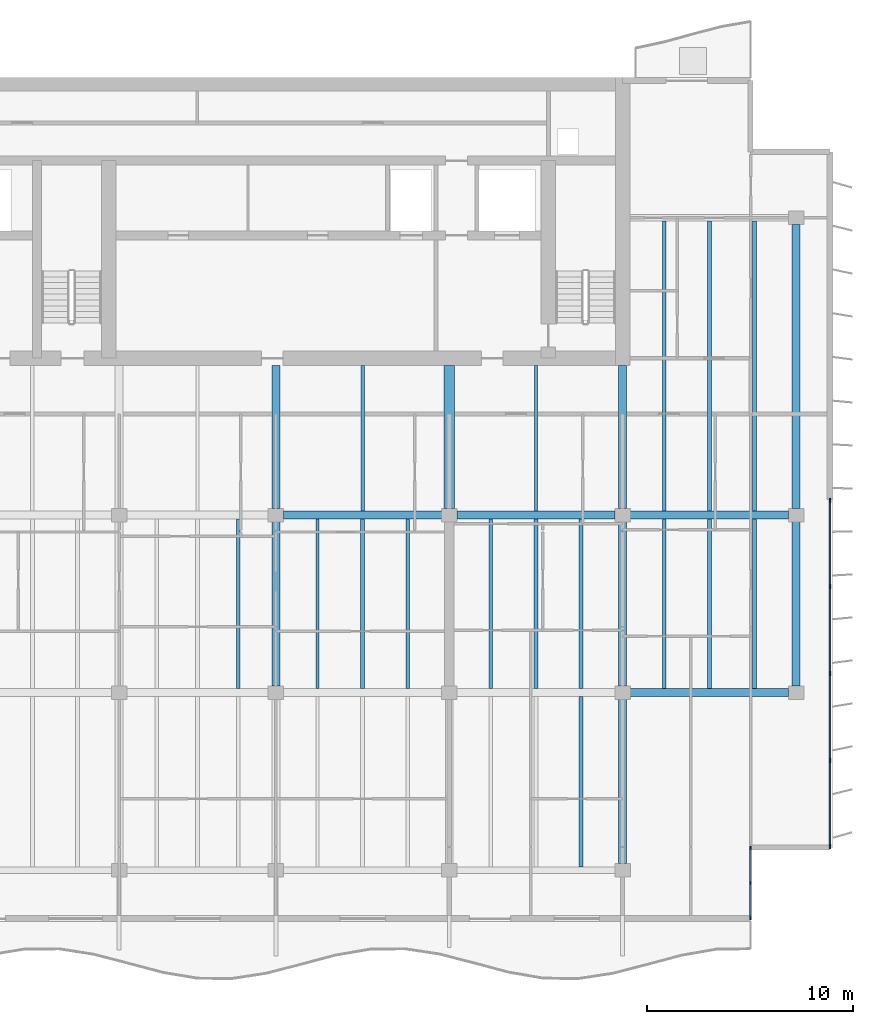
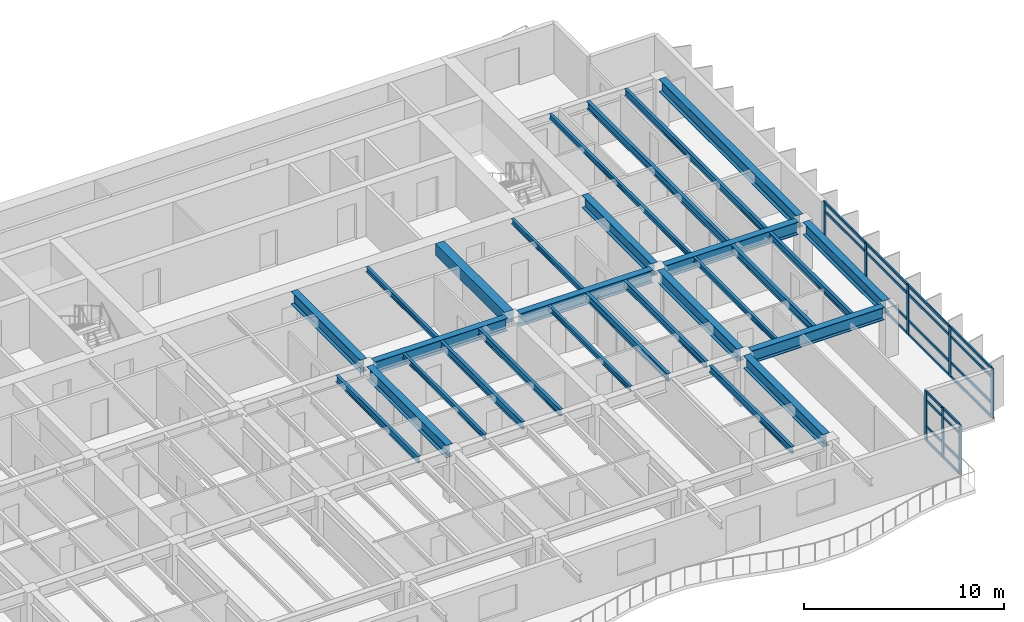
# One storey, part 4 of 17: 32 members, 28 beams, 2 elements without a shape of their own.
"""IFC4 building model written with IfcOpenShell, lengths in metres."""

from ifc_helpers import new_model, si_unit, direction, frame, origin, origin_2d, place, context, subcontext, project, spatial, rectangle, i_section, extrude, material, layer, layer_set, material_profile, profile_set, type_object, element, aggregate, save


model = new_model("IFC4")

# Units and contexts
model_context = context("Model", 3, precision=1e-05, world=origin(), true_north=direction((0.0, 1.0)))
body_context = subcontext(model_context, "Body", "Model", "MODEL_VIEW")
ifc_project = project(units=[si_unit("LENGTHUNIT", "METRE"), si_unit("AREAUNIT", "SQUARE_METRE"), si_unit("VOLUMEUNIT", "CUBIC_METRE"), si_unit("PLANEANGLEUNIT", "RADIAN"), si_unit("MASSUNIT", "GRAM", prefix="KILO")], contexts=[model_context])

# Site, building, storey
site_placement = place(None, origin())
site = spatial("IfcSite", under=ifc_project, at=site_placement, CompositionType="ELEMENT")
building_placement = place(site_placement, origin())
building = spatial("IfcBuilding", under=site, at=building_placement, Name="Caelmar Bay Residences", CompositionType="ELEMENT")
storey_placement = place(building_placement, frame((0.0, 0.0, 259.5)))
storey = spatial("IfcBuildingStorey", under=building, at=storey_placement, Name="L73", CompositionType="ELEMENT", Elevation=259.5)

# Beams
ifc_material_1 = material(Name="Steel ASTM A992 Grade 50", Category="steel")
ifc_material_profile_1 = material_profile(ifc_material_1, i_section(OverallWidth=0.177978515625, OverallDepth=0.406005859375, WebThickness=0.0078125, FlangeThickness=0.0126953125, FilletRadius=0.0087890625, at=origin_2d()), Name="W16X40")
ifc_profile_set_1 = profile_set([ifc_material_profile_1], Name="Steel ASTM A992 Grade 50")
beam_type_1 = type_object("IfcBeamType", Name="BM-BAL-W16X40", PredefinedType="JOIST", material=ifc_profile_set_1)
beam_1_placement = place(storey_placement, frame((57.48388671875, 12.362548828125, 2.846923828125), z_axis=(0.0, 1.0, 0.0), x_axis=(-1.0, 0.0, 0.0)))
element("IfcBeam", 1, at=beam_1_placement, inside=storey, type_object=beam_type_1, Name="L73 Composite Floor Joist 15", PredefinedType="JOIST", context=body_context, shape_type="SweptSolid", body=[
    extrude(i_section(OverallWidth=0.177978515625, OverallDepth=0.406005859375, WebThickness=0.0078125, FlangeThickness=0.0126953125, FilletRadius=0.0087890625, at=origin_2d()), origin(), (0.0, 0.0, 1.0), 8.2470703125),
])
for number, where, z_axis, x_axis, name in (
    (2, (40.8759765625, 20.990478515625, 2.846923828125), (0.0, 1.0, 0.0), (-1.0, 0.0, 0.0), "L73 Composite Floor Joist 27"),
    (3, (49.083984375, 20.990478515625, 2.846923828125), (0.0, 1.0, 0.0), (-1.0, 0.0, 0.0), "L73 Composite Floor Joist 30"),
    (4, (57.48388671875, 20.990478515625, 2.846923828125), (0.0, 1.0, 0.0), (-1.0, 0.0, 0.0), "L73 Composite Floor Joist 33"),
    (5, (65.884033203125, 20.990478515625, 2.846923828125), (0.0, 1.0, 0.0), (-1.0, 0.0, 0.0), "L73 Composite Floor Joist 36"),
):
    element("IfcBeam", number, at=place(storey_placement, frame(where, z_axis=z_axis, x_axis=x_axis)), inside=storey, type_object=beam_type_1, Name=name, PredefinedType="JOIST", context=body_context, shape_type="SweptSolid", body=[
        extrude(i_section(OverallWidth=0.177978515625, OverallDepth=0.406005859375, WebThickness=0.0078125, FlangeThickness=0.0126953125, FilletRadius=0.0087890625, at=origin_2d()), origin(), (0.0, 0.0, 1.0), 8.218994140625),
    ])
beam_2_placement = place(storey_placement, frame((65.884033203125, 29.590576171875, 2.846923828125), z_axis=(0.0, 1.0, 0.0), x_axis=(-1.0, 0.0, 0.0)))
element("IfcBeam", 6, at=beam_2_placement, inside=storey, type_object=beam_type_1, Name="L73 Composite Floor Joist 47", PredefinedType="JOIST", context=body_context, shape_type="SweptSolid", body=[
    extrude(i_section(OverallWidth=0.177978515625, OverallDepth=0.406005859375, WebThickness=0.0078125, FlangeThickness=0.0126953125, FilletRadius=0.0087890625, at=origin_2d()), origin(), (0.0, 0.0, 1.0), 14.046875),
])
ifc_material_profile_2 = material_profile(ifc_material_1, i_section(OverallWidth=0.381103515625, OverallDepth=0.77197265625, WebThickness=0.0166015625, FlangeThickness=0.027099609375, FilletRadius=0.0166015625, at=origin_2d()), Name="W30X173")
ifc_profile_set_2 = profile_set([ifc_material_profile_2], Name="Steel ASTM A992 Grade 50")
beam_type_2 = type_object("IfcBeamType", Name="BM-GRD-W30X173", PredefinedType="BEAM", material=ifc_profile_set_2)
beam_3_placement = place(storey_placement, frame((59.864990234375, 20.800048828125, 2.6640625), z_axis=(1.0, 0.0, 0.0), x_axis=(0.0, 1.0, 0.0)))
element("IfcBeam", 7, at=beam_3_placement, inside=storey, type_object=beam_type_2, Name="L73 East-West Girder Y=20.80 (59.5-67.9)", PredefinedType="BEAM", context=body_context, shape_type="SweptSolid", body=[
    extrude(i_section(OverallWidth=0.381103515625, OverallDepth=0.77197265625, WebThickness=0.0166015625, FlangeThickness=0.027099609375, FilletRadius=0.0166015625, at=origin_2d()), origin(), (0.0, 0.0, 1.0), 7.669921875),
])
beam_4_placement = place(storey_placement, frame((43.06494140625, 29.39990234375, 2.6640625), z_axis=(1.0, 0.0, 0.0), x_axis=(0.0, 1.0, 0.0)))
element("IfcBeam", 8, at=beam_4_placement, inside=storey, type_object=beam_type_2, Name="L73 East-West Girder Y=29.40 (42.7-51.1)", PredefinedType="BEAM", context=body_context, shape_type="SweptSolid", body=[
    extrude(i_section(OverallWidth=0.381103515625, OverallDepth=0.77197265625, WebThickness=0.0166015625, FlangeThickness=0.027099609375, FilletRadius=0.0166015625, at=origin_2d()), origin(), (0.0, 0.0, 1.0), 7.670166015625),
])
for number, where, z_axis, x_axis, name in (
    (9, (51.465087890625, 29.39990234375, 2.6640625), (1.0, 0.0, 0.0), (0.0, 1.0, 0.0), "L73 East-West Girder Y=29.40 (51.1-59.5)"),
    (10, (59.864990234375, 29.39990234375, 2.6640625), (1.0, 0.0, 0.0), (0.0, 1.0, 0.0), "L73 East-West Girder Y=29.40 (59.5-67.9)"),
):
    element("IfcBeam", number, at=place(storey_placement, frame(where, z_axis=z_axis, x_axis=x_axis)), inside=storey, type_object=beam_type_2, Name=name, PredefinedType="BEAM", context=body_context, shape_type="SweptSolid", body=[
        extrude(i_section(OverallWidth=0.381103515625, OverallDepth=0.77197265625, WebThickness=0.0166015625, FlangeThickness=0.027099609375, FilletRadius=0.0166015625, at=origin_2d()), origin(), (0.0, 0.0, 1.0), 7.669921875),
    ])
beam_5_placement = place(storey_placement, frame((42.699951171875, 29.715087890625, 2.6640625), z_axis=(0.0, 1.0, 0.0), x_axis=(-1.0, 0.0, 0.0)))
element("IfcBeam", 11, at=beam_5_placement, inside=storey, type_object=beam_type_2, Name="L73 Core Tie Girder X=42.70", PredefinedType="BEAM", context=body_context, shape_type="SweptSolid", body=[
    extrude(i_section(OverallWidth=0.381103515625, OverallDepth=0.77197265625, WebThickness=0.0166015625, FlangeThickness=0.027099609375, FilletRadius=0.0166015625, at=origin_2d()), origin(), (0.0, 0.0, 1.0), 6.934814453125),
])
beam_6_placement = place(storey_placement, frame((42.699951171875, 21.114990234375, 2.6640625), z_axis=(0.0, 1.0, 0.0), x_axis=(-1.0, 0.0, 0.0)))
element("IfcBeam", 12, at=beam_6_placement, inside=storey, type_object=beam_type_2, Name="L73 North-South Girder X=42.70 (20.8-29.4)", PredefinedType="BEAM", context=body_context, shape_type="SweptSolid", body=[
    extrude(i_section(OverallWidth=0.381103515625, OverallDepth=0.77197265625, WebThickness=0.0166015625, FlangeThickness=0.027099609375, FilletRadius=0.0166015625, at=origin_2d()), origin(), (0.0, 0.0, 1.0), 7.969970703125),
])
beam_7_placement = place(storey_placement, frame((59.5, 29.715087890625, 2.6640625), z_axis=(0.0, 1.0, 0.0), x_axis=(-1.0, 0.0, 0.0)))
element("IfcBeam", 13, at=beam_7_placement, inside=storey, type_object=beam_type_2, Name="L73 Core Tie Girder X=59.50", PredefinedType="BEAM", context=body_context, shape_type="SweptSolid", body=[
    extrude(i_section(OverallWidth=0.381103515625, OverallDepth=0.77197265625, WebThickness=0.0166015625, FlangeThickness=0.027099609375, FilletRadius=0.0166015625, at=origin_2d()), origin(), (0.0, 0.0, 1.0), 6.934814453125),
])
beam_8_placement = place(storey_placement, frame((59.5, 12.514892578125, 2.6640625), z_axis=(0.0, 1.0, 0.0), x_axis=(-1.0, 0.0, 0.0)))
element("IfcBeam", 14, at=beam_8_placement, inside=storey, type_object=beam_type_2, Name="L73 North-South Girder X=59.50 (12.2-20.8)", PredefinedType="BEAM", context=body_context, shape_type="SweptSolid", body=[
    extrude(i_section(OverallWidth=0.381103515625, OverallDepth=0.77197265625, WebThickness=0.0166015625, FlangeThickness=0.027099609375, FilletRadius=0.0166015625, at=origin_2d()), origin(), (0.0, 0.0, 1.0), 7.97021484375),
])
for number, where, z_axis, x_axis, name in (
    (15, (59.5, 21.114990234375, 2.6640625), (0.0, 1.0, 0.0), (-1.0, 0.0, 0.0), "L73 North-South Girder X=59.50 (20.8-29.4)"),
    (16, (67.89990234375, 21.114990234375, 2.6640625), (0.0, 1.0, 0.0), (-1.0, 0.0, 0.0), "L73 North-South Girder X=67.90 (20.8-29.4)"),
):
    element("IfcBeam", number, at=place(storey_placement, frame(where, z_axis=z_axis, x_axis=x_axis)), inside=storey, type_object=beam_type_2, Name=name, PredefinedType="BEAM", context=body_context, shape_type="SweptSolid", body=[
        extrude(i_section(OverallWidth=0.381103515625, OverallDepth=0.77197265625, WebThickness=0.0166015625, FlangeThickness=0.027099609375, FilletRadius=0.0166015625, at=origin_2d()), origin(), (0.0, 0.0, 1.0), 7.969970703125),
    ])
beam_9_placement = place(storey_placement, frame((67.89990234375, 29.715087890625, 2.6640625), z_axis=(0.0, 1.0, 0.0), x_axis=(-1.0, 0.0, 0.0)))
element("IfcBeam", 17, at=beam_9_placement, inside=storey, type_object=beam_type_2, Name="L73 North-South Girder X=67.90 (29.4-43.8)", PredefinedType="BEAM", context=body_context, shape_type="SweptSolid", body=[
    extrude(i_section(OverallWidth=0.381103515625, OverallDepth=0.77197265625, WebThickness=0.0166015625, FlangeThickness=0.027099609375, FilletRadius=0.0166015625, at=origin_2d()), origin(), (0.0, 0.0, 1.0), 13.77001953125),
])
ifc_material_profile_3 = material_profile(ifc_material_1, i_section(OverallWidth=0.1650390625, OverallDepth=0.31005859375, WebThickness=0.005859375, FlangeThickness=0.009765625, FilletRadius=0.007568359375, at=origin_2d()), Name="W12X26")
ifc_profile_set_3 = profile_set([ifc_material_profile_3], Name="Steel ASTM A992 Grade 50")
beam_type_3 = type_object("IfcBeamType", Name="BM-JST-W12X26", PredefinedType="JOIST", material=ifc_profile_set_3)
for number, where, z_axis, x_axis, name in (
    (18, (44.716064453125, 20.990478515625, 2.89501953125), (0.0, 1.0, 0.0), (-1.0, 0.0, 0.0), "L73 Composite Floor Joist 28"),
    (19, (53.115966796875, 20.990478515625, 2.89501953125), (0.0, 1.0, 0.0), (-1.0, 0.0, 0.0), "L73 Composite Floor Joist 31"),
    (20, (61.51611328125, 20.990478515625, 2.89501953125), (0.0, 1.0, 0.0), (-1.0, 0.0, 0.0), "L73 Composite Floor Joist 34"),
):
    element("IfcBeam", number, at=place(storey_placement, frame(where, z_axis=z_axis, x_axis=x_axis)), inside=storey, type_object=beam_type_3, Name=name, PredefinedType="JOIST", context=body_context, shape_type="SweptSolid", body=[
        extrude(i_section(OverallWidth=0.1650390625, OverallDepth=0.31005859375, WebThickness=0.005859375, FlangeThickness=0.009765625, FilletRadius=0.007568359375, at=origin_2d()), origin(), (0.0, 0.0, 1.0), 8.218994140625),
    ])
for number, where, z_axis, x_axis, name in (
    (21, (46.89990234375, 29.590576171875, 2.89501953125), (0.0, 1.0, 0.0), (-1.0, 0.0, 0.0), "L73 Core-Band Composite Joist 40"),
    (22, (55.300048828125, 29.590576171875, 2.89501953125), (0.0, 1.0, 0.0), (-1.0, 0.0, 0.0), "L73 Core-Band Composite Joist 41"),
):
    element("IfcBeam", number, at=place(storey_placement, frame(where, z_axis=z_axis, x_axis=x_axis)), inside=storey, type_object=beam_type_3, Name=name, PredefinedType="JOIST", context=body_context, shape_type="SweptSolid", body=[
        extrude(i_section(OverallWidth=0.1650390625, OverallDepth=0.31005859375, WebThickness=0.005859375, FlangeThickness=0.009765625, FilletRadius=0.007568359375, at=origin_2d()), origin(), (0.0, 0.0, 1.0), 7.059326171875),
    ])
beam_10_placement = place(storey_placement, frame((61.51611328125, 29.590576171875, 2.89501953125), z_axis=(0.0, 1.0, 0.0), x_axis=(-1.0, 0.0, 0.0)))
element("IfcBeam", 23, at=beam_10_placement, inside=storey, type_object=beam_type_3, Name="L73 Composite Floor Joist 45", PredefinedType="JOIST", context=body_context, shape_type="SweptSolid", body=[
    extrude(i_section(OverallWidth=0.1650390625, OverallDepth=0.31005859375, WebThickness=0.005859375, FlangeThickness=0.009765625, FilletRadius=0.007568359375, at=origin_2d()), origin(), (0.0, 0.0, 1.0), 14.046875),
])
ifc_material_profile_4 = material_profile(ifc_material_1, i_section(OverallWidth=0.19091796875, OverallDepth=0.45703125, WebThickness=0.009033203125, FlangeThickness=0.014404296875, FilletRadius=0.01025390625, at=origin_2d()), Name="W18X50")
ifc_profile_set_4 = profile_set([ifc_material_profile_4], Name="Steel ASTM A992 Grade 50")
beam_type_4 = type_object("IfcBeamType", Name="BM-JST-W18X50", PredefinedType="JOIST", material=ifc_profile_set_4)
for number, where, z_axis, x_axis, name in (
    (24, (46.89990234375, 20.990478515625, 2.821533203125), (0.0, 1.0, 0.0), (-1.0, 0.0, 0.0), "L73 Composite Floor Joist 29"),
    (25, (55.300048828125, 20.990478515625, 2.821533203125), (0.0, 1.0, 0.0), (-1.0, 0.0, 0.0), "L73 Composite Floor Joist 32"),
    (26, (63.699951171875, 20.990478515625, 2.821533203125), (0.0, 1.0, 0.0), (-1.0, 0.0, 0.0), "L73 Composite Floor Joist 35"),
):
    element("IfcBeam", number, at=place(storey_placement, frame(where, z_axis=z_axis, x_axis=x_axis)), inside=storey, type_object=beam_type_4, Name=name, PredefinedType="JOIST", context=body_context, shape_type="SweptSolid", body=[
        extrude(i_section(OverallWidth=0.19091796875, OverallDepth=0.45703125, WebThickness=0.009033203125, FlangeThickness=0.014404296875, FilletRadius=0.01025390625, at=origin_2d()), origin(), (0.0, 0.0, 1.0), 8.218994140625),
    ])
beam_11_placement = place(storey_placement, frame((63.699951171875, 29.590576171875, 2.821533203125), z_axis=(0.0, 1.0, 0.0), x_axis=(-1.0, 0.0, 0.0)))
element("IfcBeam", 27, at=beam_11_placement, inside=storey, type_object=beam_type_4, Name="L73 Composite Floor Joist 46", PredefinedType="JOIST", context=body_context, shape_type="SweptSolid", body=[
    extrude(i_section(OverallWidth=0.19091796875, OverallDepth=0.45703125, WebThickness=0.009033203125, FlangeThickness=0.014404296875, FilletRadius=0.01025390625, at=origin_2d()), origin(), (0.0, 0.0, 1.0), 14.046875),
])
ifc_material_2 = material(Name="Concrete f'c 55 MPa (8,000 psi)", Category="concrete")
ifc_material_profile_5 = material_profile(ifc_material_2, rectangle(XDim=0.5, YDim=0.699951171875, at=origin_2d()), Name="RC-BM-500X700")
ifc_profile_set_5 = profile_set([ifc_material_profile_5], Name="Concrete f'c 55 MPa (8,000 psi)")
beam_type_5 = type_object("IfcBeamType", Name="BM-RC-500X700", PredefinedType="LINTEL", material=ifc_profile_set_5)
beam_12_placement = place(storey_placement, frame((51.10009765625, 29.715087890625, 2.699951171875), z_axis=(0.0, 1.0, 0.0), x_axis=(-1.0, 0.0, 0.0)))
element("IfcBeam", 28, at=beam_12_placement, inside=storey, type_object=beam_type_5, Name="L73 Shear-Wall Corridor Coupling Lintel E8", PredefinedType="LINTEL", context=body_context, shape_type="SweptSolid", body=[
    extrude(rectangle(XDim=0.5, YDim=0.699951171875, at=origin_2d()), origin(), (0.0, 0.0, 1.0), 6.934814453125),
])

# Curtain wall, members
ifc_material_3 = material(Name="Anodised bronze aluminium 6063-T6 and laminated glass", Category="aluminium")
ifc_layer_1 = layer(ifc_material_3, 0.179931640625)
ifc_layer_set_1 = layer_set([ifc_layer_1], Name="Anodised bronze aluminium 6063-T6 and laminated glass")
curtain_wall_type_1 = type_object("IfcCurtainWallType", Name="CW6-NTC", PredefinedType="NOTDEFINED", material=ifc_layer_set_1)
curtain_wall_1_placement = place(storey_placement, origin())
curtain_wall_1 = element("IfcCurtainWall", 29, at=curtain_wall_1_placement, inside=storey, type_object=curtain_wall_type_1, Name="CW6 curtain wall L73", PredefinedType="NOTDEFINED")
ifc_material_4 = material(Name="Anodised bronze aluminium 6063-T6", Category="aluminium")
ifc_material_profile_6 = material_profile(ifc_material_4, rectangle(XDim=0.080078125, YDim=0.179931640625, at=origin_2d()), Name="CWM-80X180")
ifc_profile_set_6 = profile_set([ifc_material_profile_6], Name="Anodised bronze aluminium 6063-T6")
member_type_1 = type_object("IfcMemberType", Name="CWM-180", PredefinedType="MULLION", material=ifc_profile_set_6)
member_1_placement = place(storey_placement, frame((65.699951171875, 9.889892578125, 0.0), z_axis=(0.0, 0.0, 1.0), x_axis=(-1.0, 0.0, 0.0)))
member_1 = element("IfcMember", 30, at=member_1_placement, type_object=member_type_1, Name="CW6 mullion 1", PredefinedType="MULLION", context=body_context, shape_type="SweptSolid", body=[
    extrude(rectangle(XDim=0.080078125, YDim=0.179931640625, at=origin_2d()), origin(), (0.0, 0.0, 1.0), 3.050048828125),
])
member_2_placement = place(storey_placement, frame((65.699951171875, 11.574951171875, 0.0), z_axis=(0.0, 0.0, 1.0), x_axis=(-1.0, 0.0, 0.0)))
member_2 = element("IfcMember", 31, at=member_2_placement, type_object=member_type_1, Name="CW6 mullion 2", PredefinedType="MULLION", context=body_context, shape_type="SweptSolid", body=[
    extrude(rectangle(XDim=0.080078125, YDim=0.179931640625, at=origin_2d()), origin(), (0.0, 0.0, 1.0), 3.050048828125),
])
member_3_placement = place(storey_placement, frame((65.699951171875, 13.260009765625, 0.0), z_axis=(0.0, 0.0, 1.0), x_axis=(-1.0, 0.0, 0.0)))
member_3 = element("IfcMember", 32, at=member_3_placement, type_object=member_type_1, Name="CW6 mullion 3", PredefinedType="MULLION", context=body_context, shape_type="SweptSolid", body=[
    extrude(rectangle(XDim=0.080078125, YDim=0.179931640625, at=origin_2d()), origin(), (0.0, 0.0, 1.0), 3.050048828125),
])

ifc_layer_2 = layer(ifc_material_3, 0.179931640625)
ifc_layer_set_2 = layer_set([ifc_layer_2], Name="Anodised bronze aluminium 6063-T6 and laminated glass")
curtain_wall_type_2 = type_object("IfcCurtainWallType", Name="CW5-Z4", PredefinedType="NOTDEFINED", material=ifc_layer_set_2)
curtain_wall_2_placement = place(storey_placement, origin())
curtain_wall_2 = element("IfcCurtainWall", 33, at=curtain_wall_2_placement, inside=storey, type_object=curtain_wall_type_2, Name="CW5 curtain wall L73", PredefinedType="NOTDEFINED")
ifc_material_profile_7 = material_profile(ifc_material_4, rectangle(XDim=0.080078125, YDim=0.219970703125, at=origin_2d()), Name="CWM-80X220")
ifc_profile_set_7 = profile_set([ifc_material_profile_7], Name="Anodised bronze aluminium 6063-T6")
member_type_2 = type_object("IfcMemberType", Name="CWM-220", PredefinedType="MULLION", material=ifc_profile_set_7)
member_4_placement = place(storey_placement, frame((69.550048828125, 30.110107421875, 0.0), z_axis=(0.0, 0.0, 1.0), x_axis=(1.0, 0.0, 0.0)))
member_4 = element("IfcMember", 34, at=member_4_placement, type_object=member_type_2, Name="CW5 mullion 1", PredefinedType="MULLION", context=body_context, shape_type="SweptSolid", body=[
    extrude(rectangle(XDim=0.080078125, YDim=0.219970703125, at=origin_2d()), origin(), (0.0, 0.0, 1.0), 3.050048828125),
])
member_5_placement = place(storey_placement, frame((69.550048828125, 25.9375, 0.0), z_axis=(0.0, 0.0, 1.0), x_axis=(1.0, 0.0, 0.0)))
member_5 = element("IfcMember", 35, at=member_5_placement, type_object=member_type_2, Name="CW5 mullion 2", PredefinedType="MULLION", context=body_context, shape_type="SweptSolid", body=[
    extrude(rectangle(XDim=0.080078125, YDim=0.219970703125, at=origin_2d()), origin(), (0.0, 0.0, 1.0), 3.050048828125),
])
member_6_placement = place(storey_placement, frame((69.550048828125, 21.72509765625, 0.0), z_axis=(0.0, 0.0, 1.0), x_axis=(1.0, 0.0, 0.0)))
member_6 = element("IfcMember", 36, at=member_6_placement, type_object=member_type_2, Name="CW5 mullion 3", PredefinedType="MULLION", context=body_context, shape_type="SweptSolid", body=[
    extrude(rectangle(XDim=0.080078125, YDim=0.219970703125, at=origin_2d()), origin(), (0.0, 0.0, 1.0), 3.050048828125),
])
member_7_placement = place(storey_placement, frame((69.550048828125, 17.512451171875, 0.0), z_axis=(0.0, 0.0, 1.0), x_axis=(1.0, 0.0, 0.0)))
member_7 = element("IfcMember", 37, at=member_7_placement, type_object=member_type_2, Name="CW5 mullion 4", PredefinedType="MULLION", context=body_context, shape_type="SweptSolid", body=[
    extrude(rectangle(XDim=0.080078125, YDim=0.219970703125, at=origin_2d()), origin(), (0.0, 0.0, 1.0), 3.050048828125),
])
member_8_placement = place(storey_placement, frame((69.550048828125, 13.340087890625, 0.0), z_axis=(0.0, 0.0, 1.0), x_axis=(1.0, 0.0, 0.0)))
member_8 = element("IfcMember", 38, at=member_8_placement, type_object=member_type_2, Name="CW5 mullion 5", PredefinedType="MULLION", context=body_context, shape_type="SweptSolid", body=[
    extrude(rectangle(XDim=0.080078125, YDim=0.219970703125, at=origin_2d()), origin(), (0.0, 0.0, 1.0), 3.050048828125),
])

# Member
ifc_material_profile_8 = material_profile(ifc_material_4, rectangle(XDim=0.080078125, YDim=0.139892578125, at=origin_2d()), Name="CWT-80X140")
ifc_profile_set_8 = profile_set([ifc_material_profile_8], Name="Anodised bronze aluminium 6063-T6")
member_type_3 = type_object("IfcMemberType", Name="CWT-140", PredefinedType="NOTDEFINED", material=ifc_profile_set_8)
member_9_placement = place(storey_placement, frame((65.699951171875, 9.929931640625, 0.0400390625), z_axis=(0.0, 1.0, 0.0), x_axis=(-1.0, 0.0, 0.0)))
member_9 = element("IfcMember", 39, at=member_9_placement, type_object=member_type_3, Name="CW6 transom 1.1", ObjectType="TRANSOM", PredefinedType="USERDEFINED", context=body_context, shape_type="SweptSolid", body=[
    extrude(rectangle(XDim=0.080078125, YDim=0.139892578125, at=origin_2d()), origin(), (0.0, 0.0, 1.0), 1.60498046875),
])

member_10_placement = place(storey_placement, frame((65.699951171875, 9.929931640625, 0.89990234375), z_axis=(0.0, 1.0, 0.0), x_axis=(-1.0, 0.0, 0.0)))
member_10 = element("IfcMember", 40, at=member_10_placement, type_object=member_type_3, Name="CW6 transom 1.2", ObjectType="TRANSOM", PredefinedType="USERDEFINED", context=body_context, shape_type="SweptSolid", body=[
    extrude(rectangle(XDim=0.080078125, YDim=0.139892578125, at=origin_2d()), origin(), (0.0, 0.0, 1.0), 1.60498046875),
])

member_11_placement = place(storey_placement, frame((65.699951171875, 9.929931640625, 2.5), z_axis=(0.0, 1.0, 0.0), x_axis=(-1.0, 0.0, 0.0)))
member_11 = element("IfcMember", 41, at=member_11_placement, type_object=member_type_3, Name="CW6 transom 1.3", ObjectType="TRANSOM", PredefinedType="USERDEFINED", context=body_context, shape_type="SweptSolid", body=[
    extrude(rectangle(XDim=0.080078125, YDim=0.139892578125, at=origin_2d()), origin(), (0.0, 0.0, 1.0), 1.60498046875),
])

member_12_placement = place(storey_placement, frame((65.699951171875, 9.929931640625, 3.010009765625), z_axis=(0.0, 1.0, 0.0), x_axis=(-1.0, 0.0, 0.0)))
member_12 = element("IfcMember", 42, at=member_12_placement, type_object=member_type_3, Name="CW6 transom 1.4", ObjectType="TRANSOM", PredefinedType="USERDEFINED", context=body_context, shape_type="SweptSolid", body=[
    extrude(rectangle(XDim=0.080078125, YDim=0.139892578125, at=origin_2d()), origin(), (0.0, 0.0, 1.0), 1.60498046875),
])

member_13_placement = place(storey_placement, frame((65.699951171875, 11.614990234375, 0.0400390625), z_axis=(0.0, 1.0, 0.0), x_axis=(-1.0, 0.0, 0.0)))
member_13 = element("IfcMember", 43, at=member_13_placement, type_object=member_type_3, Name="CW6 transom 2.1", ObjectType="TRANSOM", PredefinedType="USERDEFINED", context=body_context, shape_type="SweptSolid", body=[
    extrude(rectangle(XDim=0.080078125, YDim=0.139892578125, at=origin_2d()), origin(), (0.0, 0.0, 1.0), 1.60498046875),
])

member_14_placement = place(storey_placement, frame((65.699951171875, 11.614990234375, 0.89990234375), z_axis=(0.0, 1.0, 0.0), x_axis=(-1.0, 0.0, 0.0)))
member_14 = element("IfcMember", 44, at=member_14_placement, type_object=member_type_3, Name="CW6 transom 2.2", ObjectType="TRANSOM", PredefinedType="USERDEFINED", context=body_context, shape_type="SweptSolid", body=[
    extrude(rectangle(XDim=0.080078125, YDim=0.139892578125, at=origin_2d()), origin(), (0.0, 0.0, 1.0), 1.60498046875),
])

member_15_placement = place(storey_placement, frame((65.699951171875, 11.614990234375, 2.5), z_axis=(0.0, 1.0, 0.0), x_axis=(-1.0, 0.0, 0.0)))
member_15 = element("IfcMember", 45, at=member_15_placement, type_object=member_type_3, Name="CW6 transom 2.3", ObjectType="TRANSOM", PredefinedType="USERDEFINED", context=body_context, shape_type="SweptSolid", body=[
    extrude(rectangle(XDim=0.080078125, YDim=0.139892578125, at=origin_2d()), origin(), (0.0, 0.0, 1.0), 1.60498046875),
])

member_16_placement = place(storey_placement, frame((65.699951171875, 11.614990234375, 3.010009765625), z_axis=(0.0, 1.0, 0.0), x_axis=(-1.0, 0.0, 0.0)))
member_16 = element("IfcMember", 46, at=member_16_placement, type_object=member_type_3, Name="CW6 transom 2.4", ObjectType="TRANSOM", PredefinedType="USERDEFINED", context=body_context, shape_type="SweptSolid", body=[
    extrude(rectangle(XDim=0.080078125, YDim=0.139892578125, at=origin_2d()), origin(), (0.0, 0.0, 1.0), 1.60498046875),
])

aggregate(curtain_wall_1, [member_1, member_2, member_3, member_9, member_10, member_11, member_12, member_13, member_14, member_15, member_16])

ifc_material_profile_9 = material_profile(ifc_material_4, rectangle(XDim=0.080078125, YDim=0.159912109375, at=origin_2d()), Name="CWT-80X160")
ifc_profile_set_9 = profile_set([ifc_material_profile_9], Name="Anodised bronze aluminium 6063-T6")
member_type_4 = type_object("IfcMemberType", Name="CWT-160", PredefinedType="NOTDEFINED", material=ifc_profile_set_9)
member_17_placement = place(storey_placement, frame((69.550048828125, 30.070068359375, 0.0400390625), z_axis=(0.0, -1.0, 0.0), x_axis=(1.0, 0.0, 0.0)))
member_17 = element("IfcMember", 47, at=member_17_placement, type_object=member_type_4, Name="CW5 transom 1.1", ObjectType="TRANSOM", PredefinedType="USERDEFINED", context=body_context, shape_type="SweptSolid", body=[
    extrude(rectangle(XDim=0.080078125, YDim=0.159912109375, at=origin_2d()), origin(), (0.0, 0.0, 1.0), 4.092529296875),
])

member_18_placement = place(storey_placement, frame((69.550048828125, 30.070068359375, 0.89990234375), z_axis=(0.0, -1.0, 0.0), x_axis=(1.0, 0.0, 0.0)))
member_18 = element("IfcMember", 48, at=member_18_placement, type_object=member_type_4, Name="CW5 transom 1.2", ObjectType="TRANSOM", PredefinedType="USERDEFINED", context=body_context, shape_type="SweptSolid", body=[
    extrude(rectangle(XDim=0.080078125, YDim=0.159912109375, at=origin_2d()), origin(), (0.0, 0.0, 1.0), 4.092529296875),
])

member_19_placement = place(storey_placement, frame((69.550048828125, 30.070068359375, 2.5), z_axis=(0.0, -1.0, 0.0), x_axis=(1.0, 0.0, 0.0)))
member_19 = element("IfcMember", 49, at=member_19_placement, type_object=member_type_4, Name="CW5 transom 1.3", ObjectType="TRANSOM", PredefinedType="USERDEFINED", context=body_context, shape_type="SweptSolid", body=[
    extrude(rectangle(XDim=0.080078125, YDim=0.159912109375, at=origin_2d()), origin(), (0.0, 0.0, 1.0), 4.092529296875),
])

member_20_placement = place(storey_placement, frame((69.550048828125, 30.070068359375, 3.010009765625), z_axis=(0.0, -1.0, 0.0), x_axis=(1.0, 0.0, 0.0)))
member_20 = element("IfcMember", 50, at=member_20_placement, type_object=member_type_4, Name="CW5 transom 1.4", ObjectType="TRANSOM", PredefinedType="USERDEFINED", context=body_context, shape_type="SweptSolid", body=[
    extrude(rectangle(XDim=0.080078125, YDim=0.159912109375, at=origin_2d()), origin(), (0.0, 0.0, 1.0), 4.092529296875),
])

member_21_placement = place(storey_placement, frame((69.550048828125, 25.8974609375, 0.0400390625), z_axis=(0.0, -1.0, 0.0), x_axis=(1.0, 0.0, 0.0)))
member_21 = element("IfcMember", 51, at=member_21_placement, type_object=member_type_4, Name="CW5 transom 2.1", ObjectType="TRANSOM", PredefinedType="USERDEFINED", context=body_context, shape_type="SweptSolid", body=[
    extrude(rectangle(XDim=0.080078125, YDim=0.159912109375, at=origin_2d()), origin(), (0.0, 0.0, 1.0), 4.132568359375),
])

member_22_placement = place(storey_placement, frame((69.550048828125, 25.8974609375, 0.89990234375), z_axis=(0.0, -1.0, 0.0), x_axis=(1.0, 0.0, 0.0)))
member_22 = element("IfcMember", 52, at=member_22_placement, type_object=member_type_4, Name="CW5 transom 2.2", ObjectType="TRANSOM", PredefinedType="USERDEFINED", context=body_context, shape_type="SweptSolid", body=[
    extrude(rectangle(XDim=0.080078125, YDim=0.159912109375, at=origin_2d()), origin(), (0.0, 0.0, 1.0), 4.132568359375),
])

member_23_placement = place(storey_placement, frame((69.550048828125, 25.8974609375, 2.5), z_axis=(0.0, -1.0, 0.0), x_axis=(1.0, 0.0, 0.0)))
member_23 = element("IfcMember", 53, at=member_23_placement, type_object=member_type_4, Name="CW5 transom 2.3", ObjectType="TRANSOM", PredefinedType="USERDEFINED", context=body_context, shape_type="SweptSolid", body=[
    extrude(rectangle(XDim=0.080078125, YDim=0.159912109375, at=origin_2d()), origin(), (0.0, 0.0, 1.0), 4.132568359375),
])

member_24_placement = place(storey_placement, frame((69.550048828125, 25.8974609375, 3.010009765625), z_axis=(0.0, -1.0, 0.0), x_axis=(1.0, 0.0, 0.0)))
member_24 = element("IfcMember", 54, at=member_24_placement, type_object=member_type_4, Name="CW5 transom 2.4", ObjectType="TRANSOM", PredefinedType="USERDEFINED", context=body_context, shape_type="SweptSolid", body=[
    extrude(rectangle(XDim=0.080078125, YDim=0.159912109375, at=origin_2d()), origin(), (0.0, 0.0, 1.0), 4.132568359375),
])

member_25_placement = place(storey_placement, frame((69.550048828125, 21.68505859375, 0.0400390625), z_axis=(0.0, -1.0, 0.0), x_axis=(1.0, 0.0, 0.0)))
member_25 = element("IfcMember", 55, at=member_25_placement, type_object=member_type_4, Name="CW5 transom 3.1", ObjectType="TRANSOM", PredefinedType="USERDEFINED", context=body_context, shape_type="SweptSolid", body=[
    extrude(rectangle(XDim=0.080078125, YDim=0.159912109375, at=origin_2d()), origin(), (0.0, 0.0, 1.0), 4.132568359375),
])

member_26_placement = place(storey_placement, frame((69.550048828125, 21.68505859375, 0.89990234375), z_axis=(0.0, -1.0, 0.0), x_axis=(1.0, 0.0, 0.0)))
member_26 = element("IfcMember", 56, at=member_26_placement, type_object=member_type_4, Name="CW5 transom 3.2", ObjectType="TRANSOM", PredefinedType="USERDEFINED", context=body_context, shape_type="SweptSolid", body=[
    extrude(rectangle(XDim=0.080078125, YDim=0.159912109375, at=origin_2d()), origin(), (0.0, 0.0, 1.0), 4.132568359375),
])

member_27_placement = place(storey_placement, frame((69.550048828125, 21.68505859375, 2.5), z_axis=(0.0, -1.0, 0.0), x_axis=(1.0, 0.0, 0.0)))
member_27 = element("IfcMember", 57, at=member_27_placement, type_object=member_type_4, Name="CW5 transom 3.3", ObjectType="TRANSOM", PredefinedType="USERDEFINED", context=body_context, shape_type="SweptSolid", body=[
    extrude(rectangle(XDim=0.080078125, YDim=0.159912109375, at=origin_2d()), origin(), (0.0, 0.0, 1.0), 4.132568359375),
])

member_28_placement = place(storey_placement, frame((69.550048828125, 21.68505859375, 3.010009765625), z_axis=(0.0, -1.0, 0.0), x_axis=(1.0, 0.0, 0.0)))
member_28 = element("IfcMember", 58, at=member_28_placement, type_object=member_type_4, Name="CW5 transom 3.4", ObjectType="TRANSOM", PredefinedType="USERDEFINED", context=body_context, shape_type="SweptSolid", body=[
    extrude(rectangle(XDim=0.080078125, YDim=0.159912109375, at=origin_2d()), origin(), (0.0, 0.0, 1.0), 4.132568359375),
])

member_29_placement = place(storey_placement, frame((69.550048828125, 17.472412109375, 0.0400390625), z_axis=(0.0, -1.0, 0.0), x_axis=(1.0, 0.0, 0.0)))
member_29 = element("IfcMember", 59, at=member_29_placement, type_object=member_type_4, Name="CW5 transom 4.1", ObjectType="TRANSOM", PredefinedType="USERDEFINED", context=body_context, shape_type="SweptSolid", body=[
    extrude(rectangle(XDim=0.080078125, YDim=0.159912109375, at=origin_2d()), origin(), (0.0, 0.0, 1.0), 4.092529296875),
])

member_30_placement = place(storey_placement, frame((69.550048828125, 17.472412109375, 0.89990234375), z_axis=(0.0, -1.0, 0.0), x_axis=(1.0, 0.0, 0.0)))
member_30 = element("IfcMember", 60, at=member_30_placement, type_object=member_type_4, Name="CW5 transom 4.2", ObjectType="TRANSOM", PredefinedType="USERDEFINED", context=body_context, shape_type="SweptSolid", body=[
    extrude(rectangle(XDim=0.080078125, YDim=0.159912109375, at=origin_2d()), origin(), (0.0, 0.0, 1.0), 4.092529296875),
])

member_31_placement = place(storey_placement, frame((69.550048828125, 17.472412109375, 2.5), z_axis=(0.0, -1.0, 0.0), x_axis=(1.0, 0.0, 0.0)))
member_31 = element("IfcMember", 61, at=member_31_placement, type_object=member_type_4, Name="CW5 transom 4.3", ObjectType="TRANSOM", PredefinedType="USERDEFINED", context=body_context, shape_type="SweptSolid", body=[
    extrude(rectangle(XDim=0.080078125, YDim=0.159912109375, at=origin_2d()), origin(), (0.0, 0.0, 1.0), 4.092529296875),
])

member_32_placement = place(storey_placement, frame((69.550048828125, 17.472412109375, 3.010009765625), z_axis=(0.0, -1.0, 0.0), x_axis=(1.0, 0.0, 0.0)))
member_32 = element("IfcMember", 62, at=member_32_placement, type_object=member_type_4, Name="CW5 transom 4.4", ObjectType="TRANSOM", PredefinedType="USERDEFINED", context=body_context, shape_type="SweptSolid", body=[
    extrude(rectangle(XDim=0.080078125, YDim=0.159912109375, at=origin_2d()), origin(), (0.0, 0.0, 1.0), 4.092529296875),
])

aggregate(curtain_wall_2, [member_4, member_5, member_6, member_7, member_8, member_17, member_18, member_19, member_20, member_21, member_22, member_23, member_24, member_25, member_26, member_27, member_28, member_29, member_30, member_31, member_32])

save(model, "model.ifc")
